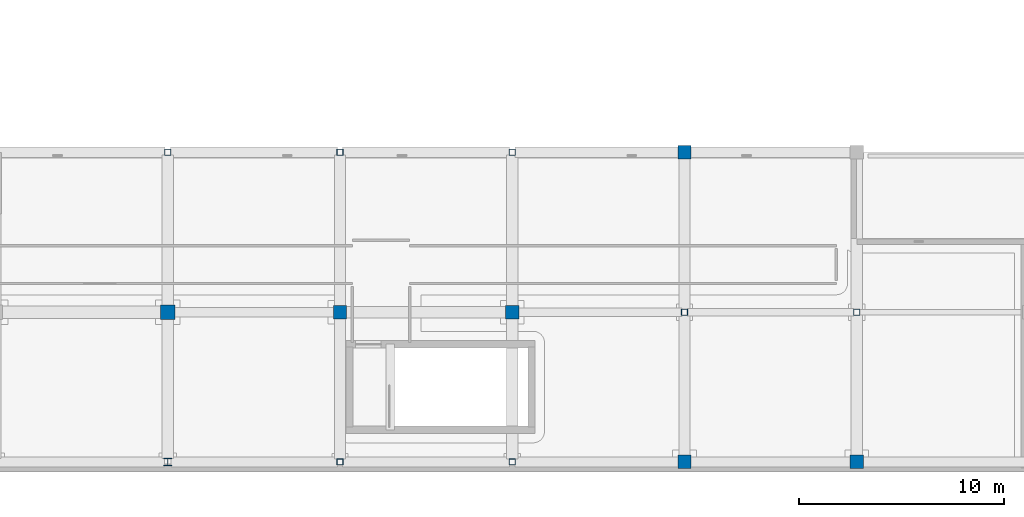
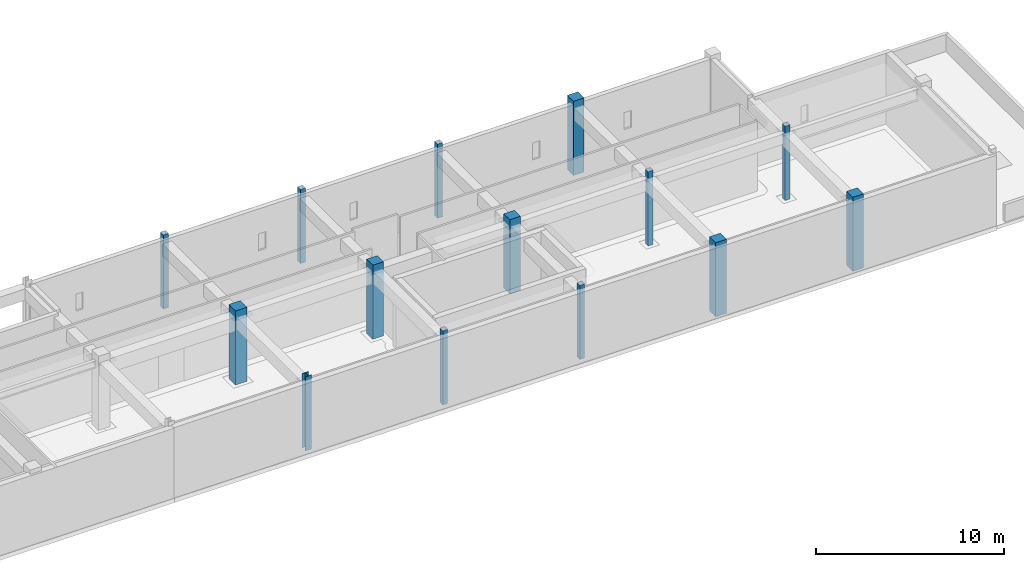
# One storey, part 4 of 123: 14 columns.
"""IFC4 building model written with IfcOpenShell, lengths in metres."""

from ifc_helpers import new_model, si_unit, direction, frame, origin, origin_2d, place, context, subcontext, project, spatial, rectangle, hollow_rectangle, i_section, extrude, material, material_profile, profile_set, type_object, element, save


model = new_model("IFC4")

# Units and contexts
model_context = context("Model", 3, precision=1e-05, world=origin(), true_north=direction((0.0, 1.0)))
body_context = subcontext(model_context, "Body", "Model", "MODEL_VIEW")
ifc_project = project(units=[si_unit("LENGTHUNIT", "METRE"), si_unit("AREAUNIT", "SQUARE_METRE"), si_unit("VOLUMEUNIT", "CUBIC_METRE"), si_unit("PLANEANGLEUNIT", "RADIAN"), si_unit("MASSUNIT", "GRAM", prefix="KILO")], contexts=[model_context])

# Site, building, storey
site_placement = place(None, origin())
site = spatial("IfcSite", under=ifc_project, at=site_placement, CompositionType="ELEMENT")
building_placement = place(site_placement, origin())
building = spatial("IfcBuilding", under=site, at=building_placement, Name="Quendrovan Civic Courthouse", CompositionType="ELEMENT")
storey_placement = place(building_placement, frame((0.0, 0.0, 5.39990234375)))
storey = spatial("IfcBuildingStorey", under=building, at=storey_placement, Name="L02", CompositionType="ELEMENT", Elevation=5.39990234375)

# Columns
ifc_material_1 = material(Name="Concrete C45/55", Category="concrete")
ifc_material_profile_1 = material_profile(ifc_material_1, rectangle(XDim=0.64990234375, YDim=0.64990234375, at=origin_2d()), Name="RC-COL-650x650")
ifc_profile_set_1 = profile_set([ifc_material_profile_1], Name="Concrete C45/55")
column_type_1 = type_object("IfcColumnType", Name="COL-RC650", PredefinedType="COLUMN", material=ifc_profile_set_1)
for number, where, z_axis, x_axis, name in (
    (1, (75.60009765625, 7.800048828125, 0.0), (0.0, 0.0, 1.0), (1.0, 0.0, 0.0), "L02 Column 10-B"),
    (2, (84.0, 7.800048828125, 0.0), (0.0, 0.0, 1.0), (1.0, 0.0, 0.0), "L02 Column 11-B"),
    (3, (92.39990234375, 0.5, 0.0), (0.0, 0.0, 1.0), (1.0, 0.0, 0.0), "L02 Column 12-A"),
    (4, (92.39990234375, 15.60009765625, 0.0), (0.0, 0.0, 1.0), (1.0, 0.0, 0.0), "L02 Column 12-C"),
    (5, (100.800048828125, 0.5, 0.0), (0.0, 0.0, 1.0), (1.0, 0.0, 0.0), "L02 Column 13-A"),
):
    element("IfcColumn", number, at=place(storey_placement, frame(where, z_axis=z_axis, x_axis=x_axis)), inside=storey, type_object=column_type_1, Name=name, PredefinedType="COLUMN", context=body_context, shape_type="SweptSolid", body=[
        extrude(rectangle(XDim=0.64990234375, YDim=0.64990234375, at=origin_2d()), origin(), (0.0, 0.0, 1.0), 4.800048828125),
    ])
ifc_material_profile_2 = material_profile(ifc_material_1, rectangle(XDim=0.699951171875, YDim=0.699951171875, at=origin_2d()), Name="RC-COL-700x700")
ifc_profile_set_2 = profile_set([ifc_material_profile_2], Name="Concrete C45/55")
column_type_2 = type_object("IfcColumnType", Name="COL-RC700", PredefinedType="COLUMN", material=ifc_profile_set_2)
column_1_placement = place(storey_placement, frame((67.199951171875, 7.800048828125, 0.0), z_axis=(0.0, 0.0, 1.0), x_axis=(1.0, 0.0, 0.0)))
element("IfcColumn", 6, at=column_1_placement, inside=storey, type_object=column_type_2, Name="L02 Column 9-B", PredefinedType="COLUMN", context=body_context, shape_type="SweptSolid", body=[
    extrude(rectangle(XDim=0.699951171875, YDim=0.699951171875, at=origin_2d()), origin(), (0.0, 0.0, 1.0), 4.800048828125),
])
ifc_material_2 = material(Name="Steel ASTM A500 Grade C", Category="steel")
ifc_material_profile_3 = material_profile(ifc_material_2, hollow_rectangle(XDim=0.300048828125, YDim=0.300048828125, WallThickness=0.011962890625, at=origin_2d()), Name="HSS300x300x12")
ifc_profile_set_3 = profile_set([ifc_material_profile_3], Name="Steel ASTM A500 Grade C")
column_type_3 = type_object("IfcColumnType", Name="COL-STL-HSS300S", PredefinedType="COLUMN", material=ifc_profile_set_3)
for number, where, z_axis, x_axis, name in (
    (7, (67.199951171875, 15.60009765625, 0.0), (0.0, 0.0, 1.0), (1.0, 0.0, 0.0), "L02 Column 9-C"),
    (8, (75.60009765625, 0.5, 0.0), (0.0, 0.0, 1.0), (1.0, 0.0, 0.0), "L02 Column 10-A"),
    (9, (75.60009765625, 15.60009765625, 0.0), (0.0, 0.0, 1.0), (1.0, 0.0, 0.0), "L02 Column 10-C"),
    (10, (84.0, 0.5, 0.0), (0.0, 0.0, 1.0), (1.0, 0.0, 0.0), "L02 Column 11-A"),
    (11, (84.0, 15.60009765625, 0.0), (0.0, 0.0, 1.0), (1.0, 0.0, 0.0), "L02 Column 11-C"),
    (12, (92.39990234375, 7.800048828125, 0.0), (0.0, 0.0, 1.0), (1.0, 0.0, 0.0), "L02 Column 12-B"),
    (13, (100.800048828125, 7.800048828125, 0.0), (0.0, 0.0, 1.0), (1.0, 0.0, 0.0), "L02 Column 13-B"),
):
    element("IfcColumn", number, at=place(storey_placement, frame(where, z_axis=z_axis, x_axis=x_axis)), inside=storey, type_object=column_type_3, Name=name, PredefinedType="COLUMN", context=body_context, shape_type="SweptSolid", body=[
        extrude(hollow_rectangle(XDim=0.300048828125, YDim=0.300048828125, WallThickness=0.011962890625, at=origin_2d()), origin(), (0.0, 0.0, 1.0), 4.800048828125),
    ])
ifc_material_3 = material(Name="Steel ASTM A992 Grade 50", Category="steel")
ifc_material_profile_4 = material_profile(ifc_material_3, i_section(OverallWidth=0.3740234375, OverallDepth=0.3720703125, WebThickness=0.016357421875, FlangeThickness=0.026123046875, at=origin_2d()), Name="W14X132")
ifc_profile_set_4 = profile_set([ifc_material_profile_4], Name="Steel ASTM A992 Grade 50")
column_type_4 = type_object("IfcColumnType", Name="COL-STL-W14X132", PredefinedType="COLUMN", material=ifc_profile_set_4)
column_2_placement = place(storey_placement, frame((67.199951171875, 0.5, 0.0), z_axis=(0.0, 0.0, 1.0), x_axis=(1.0, 0.0, 0.0)))
element("IfcColumn", 14, at=column_2_placement, inside=storey, type_object=column_type_4, Name="L02 Column 9-A", PredefinedType="COLUMN", context=body_context, shape_type="SweptSolid", body=[
    extrude(i_section(OverallWidth=0.3740234375, OverallDepth=0.3720703125, WebThickness=0.016357421875, FlangeThickness=0.026123046875, at=origin_2d()), origin(), (0.0, 0.0, 1.0), 4.800048828125),
])

save(model, "model.ifc")
